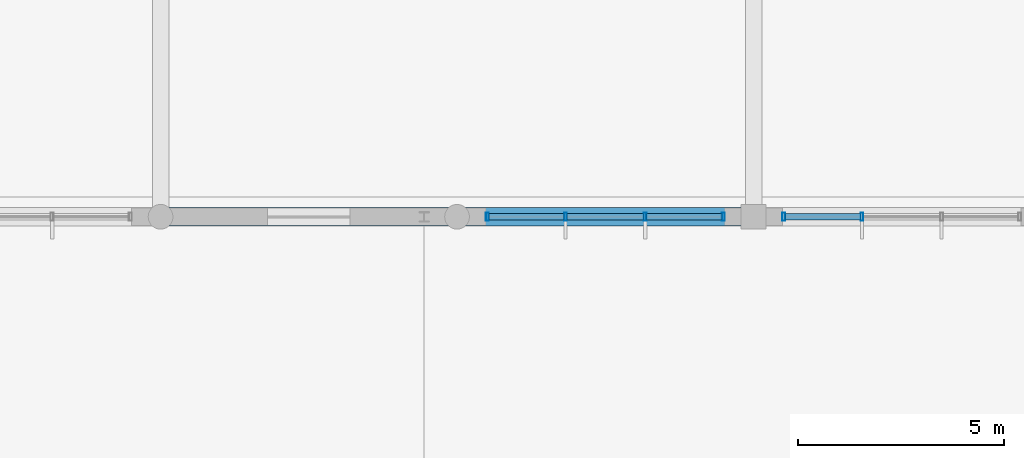
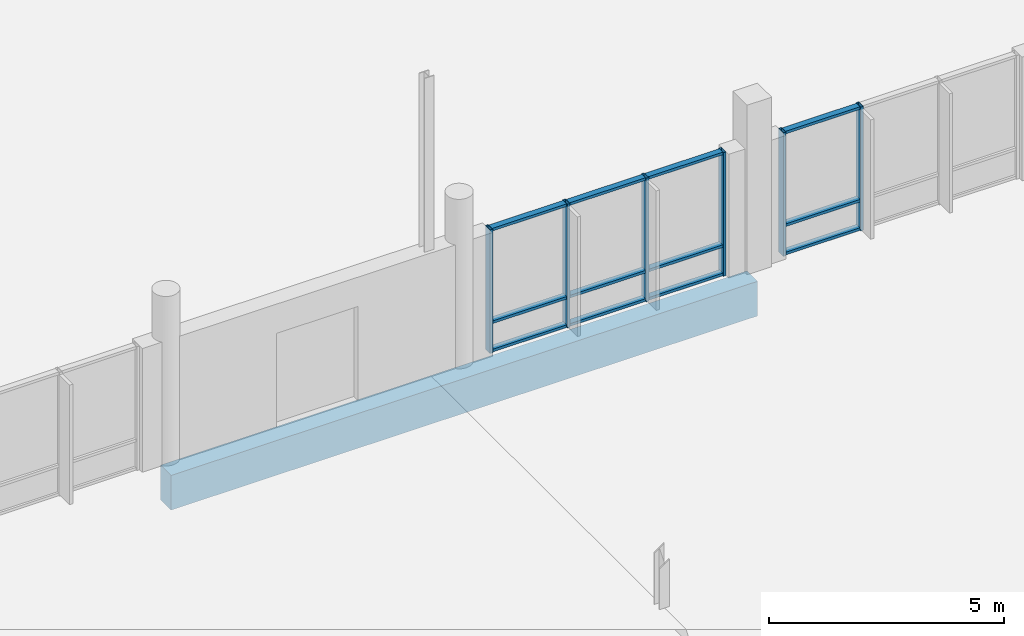
# One storey, part 68 of 233: 18 members, 1 beam, 2 elements without a shape of their own.
"""IFC4 building model written with IfcOpenShell, lengths in metres."""

from ifc_helpers import new_model, si_unit, direction, frame, origin, origin_2d, place, context, subcontext, project, spatial, rectangle, hollow_rectangle, extrude, material, material_profile, profile_set, type_object, element, aggregate, save


model = new_model("IFC4")

# Units and contexts
model_context = context("Model", 3, precision=1e-05, world=origin(), true_north=direction((0.0, 1.0)))
body_context = subcontext(model_context, "Body", "Model", "MODEL_VIEW")
ifc_project = project(units=[si_unit("LENGTHUNIT", "METRE"), si_unit("AREAUNIT", "SQUARE_METRE"), si_unit("VOLUMEUNIT", "CUBIC_METRE"), si_unit("PLANEANGLEUNIT", "RADIAN"), si_unit("MASSUNIT", "GRAM", prefix="KILO")], contexts=[model_context])

# Site, building, storey
site_placement = place(None, origin())
site = spatial("IfcSite", under=ifc_project, at=site_placement, CompositionType="ELEMENT")
building_placement = place(site_placement, origin())
building = spatial("IfcBuilding", under=site, at=building_placement, Name="Zavelmont Quarter", CompositionType="ELEMENT")
storey_placement = place(building_placement, origin())
storey = spatial("IfcBuildingStorey", under=building, at=storey_placement, Name="L00", CompositionType="ELEMENT", Elevation=0.0)

# Beam
ifc_material_1 = material(Name="Concrete C40/50", Category="concrete")
ifc_material_profile_1 = material_profile(ifc_material_1, rectangle(XDim=0.449951171875, YDim=0.89990234375, at=origin_2d()), Name="RC450X900")
ifc_profile_set_1 = profile_set([ifc_material_profile_1], Name="Concrete C40/50")
beam_type = type_object("IfcBeamType", Name="BM06", PredefinedType="BEAM", material=ifc_profile_set_1)
beam_placement = place(storey_placement, frame((69.60009765625, 30.0, -0.77001953125), z_axis=(1.0, 0.0, 0.0), x_axis=(0.0, 1.0, 0.0)))
element("IfcBeam", 1, at=beam_placement, inside=storey, type_object=beam_type, Name="L00 beam BM06 11/F to 13/F", PredefinedType="BEAM", context=body_context, shape_type="SweptSolid", body=[
    extrude(rectangle(XDim=0.449951171875, YDim=0.89990234375, at=origin_2d()), origin(), (0.0, 0.0, 1.0), 14.39990234375),
])

# Curtain wall, members
ifc_material_2 = material(Name="Thermally broken aluminium and double low-E safety glazing", Category="aluminium")
curtain_wall_type = type_object("IfcCurtainWallType", Name="CW-580X321", PredefinedType="NOTDEFINED", material=ifc_material_2)
curtain_wall_1_placement = place(storey_placement, origin())
curtain_wall_1 = element("IfcCurtainWall", 2, at=curtain_wall_1_placement, inside=storey, type_object=curtain_wall_type, Name="L00 unitised curtain wall CW-580X321", PredefinedType="NOTDEFINED")
ifc_material_3 = material(Name="Powder-coated aluminium EN AW-6063-T6", Category="aluminium")
ifc_material_profile_2 = material_profile(ifc_material_3, hollow_rectangle(XDim=0.070068359375, YDim=0.199951171875, WallThickness=0.0048828125, at=origin_2d()), Name="CWM70X200")
ifc_profile_set_2 = profile_set([ifc_material_profile_2], Name="Powder-coated aluminium EN AW-6063-T6")
member_type_1 = type_object("IfcMemberType", Name="CWM02", PredefinedType="MULLION", material=ifc_profile_set_2)
member_1_placement = place(storey_placement, frame((77.534912109375, 30.0, 0.0), z_axis=(0.0, 0.0, 1.0), x_axis=(1.0, 0.0, 0.0)))
member_1 = element("IfcMember", 3, at=member_1_placement, type_object=member_type_1, Name="CW-580X321 mullion 1", PredefinedType="MULLION", context=body_context, shape_type="SweptSolid", body=[
    extrude(hollow_rectangle(XDim=0.070068359375, YDim=0.199951171875, WallThickness=0.0048828125, at=origin_2d()), origin(), (0.0, 0.0, 1.0), 3.2099609375),
])
member_2_placement = place(storey_placement, frame((79.433349609375, 30.0, 0.0), z_axis=(0.0, 0.0, 1.0), x_axis=(1.0, 0.0, 0.0)))
member_2 = element("IfcMember", 4, at=member_2_placement, type_object=member_type_1, Name="CW-580X321 mullion 2", PredefinedType="MULLION", context=body_context, shape_type="SweptSolid", body=[
    extrude(hollow_rectangle(XDim=0.070068359375, YDim=0.199951171875, WallThickness=0.0048828125, at=origin_2d()), origin(), (0.0, 0.0, 1.0), 3.2099609375),
])
member_3_placement = place(storey_placement, frame((81.36669921875, 30.0, 0.0), z_axis=(0.0, 0.0, 1.0), x_axis=(1.0, 0.0, 0.0)))
member_3 = element("IfcMember", 5, at=member_3_placement, type_object=member_type_1, Name="CW-580X321 mullion 3", PredefinedType="MULLION", context=body_context, shape_type="SweptSolid", body=[
    extrude(hollow_rectangle(XDim=0.070068359375, YDim=0.199951171875, WallThickness=0.0048828125, at=origin_2d()), origin(), (0.0, 0.0, 1.0), 3.2099609375),
])
member_4_placement = place(storey_placement, frame((83.264892578125, 30.0, 0.0), z_axis=(0.0, 0.0, 1.0), x_axis=(1.0, 0.0, 0.0)))
member_4 = element("IfcMember", 6, at=member_4_placement, type_object=member_type_1, Name="CW-580X321 mullion 4", PredefinedType="MULLION", context=body_context, shape_type="SweptSolid", body=[
    extrude(hollow_rectangle(XDim=0.070068359375, YDim=0.199951171875, WallThickness=0.0048828125, at=origin_2d()), origin(), (0.0, 0.0, 1.0), 3.2099609375),
])

curtain_wall_2_placement = place(storey_placement, origin())
curtain_wall_2 = element("IfcCurtainWall", 7, at=curtain_wall_2_placement, inside=storey, type_object=curtain_wall_type, Name="L00 unitised curtain wall CW-580X321", PredefinedType="NOTDEFINED")
member_5_placement = place(storey_placement, frame((84.735107421875, 30.0, 0.0), z_axis=(0.0, 0.0, 1.0), x_axis=(1.0, 0.0, 0.0)))
member_5 = element("IfcMember", 8, at=member_5_placement, type_object=member_type_1, Name="CW-580X321 mullion 1", PredefinedType="MULLION", context=body_context, shape_type="SweptSolid", body=[
    extrude(hollow_rectangle(XDim=0.070068359375, YDim=0.199951171875, WallThickness=0.0048828125, at=origin_2d()), origin(), (0.0, 0.0, 1.0), 3.2099609375),
])
member_6_placement = place(storey_placement, frame((86.63330078125, 30.0, 0.0), z_axis=(0.0, 0.0, 1.0), x_axis=(1.0, 0.0, 0.0)))
member_6 = element("IfcMember", 9, at=member_6_placement, type_object=member_type_1, Name="CW-580X321 mullion 2", PredefinedType="MULLION", context=body_context, shape_type="SweptSolid", body=[
    extrude(hollow_rectangle(XDim=0.070068359375, YDim=0.199951171875, WallThickness=0.0048828125, at=origin_2d()), origin(), (0.0, 0.0, 1.0), 3.2099609375),
])

# Member
ifc_material_profile_3 = material_profile(ifc_material_3, hollow_rectangle(XDim=0.14990234375, YDim=0.070068359375, WallThickness=0.00439453125, at=origin_2d()), Name="CWT70X150")
ifc_profile_set_3 = profile_set([ifc_material_profile_3], Name="Powder-coated aluminium EN AW-6063-T6")
member_type_2 = type_object("IfcMemberType", Name="CWT02", PredefinedType="NOTDEFINED", material=ifc_profile_set_3)
member_7_placement = place(storey_placement, frame((77.570068359375, 30.0, 0.034912109375), z_axis=(1.0, 0.0, 0.0), x_axis=(0.0, 1.0, 0.0)))
member_7 = element("IfcMember", 10, at=member_7_placement, type_object=member_type_2, Name="CW-580X321 transom 1.1", ObjectType="TRANSOM", PredefinedType="USERDEFINED", context=body_context, shape_type="SweptSolid", body=[
    extrude(hollow_rectangle(XDim=0.14990234375, YDim=0.070068359375, WallThickness=0.00439453125, at=origin_2d()), origin(), (0.0, 0.0, 1.0), 1.828369140625),
])

member_8_placement = place(storey_placement, frame((77.570068359375, 30.0, 0.77001953125), z_axis=(1.0, 0.0, 0.0), x_axis=(0.0, 1.0, 0.0)))
member_8 = element("IfcMember", 11, at=member_8_placement, type_object=member_type_2, Name="CW-580X321 transom 1.2", ObjectType="TRANSOM", PredefinedType="USERDEFINED", context=body_context, shape_type="SweptSolid", body=[
    extrude(hollow_rectangle(XDim=0.14990234375, YDim=0.070068359375, WallThickness=0.00439453125, at=origin_2d()), origin(), (0.0, 0.0, 1.0), 1.828369140625),
])

member_9_placement = place(storey_placement, frame((77.570068359375, 30.0, 3.175048828125), z_axis=(1.0, 0.0, 0.0), x_axis=(0.0, 1.0, 0.0)))
member_9 = element("IfcMember", 12, at=member_9_placement, type_object=member_type_2, Name="CW-580X321 transom 1.3", ObjectType="TRANSOM", PredefinedType="USERDEFINED", context=body_context, shape_type="SweptSolid", body=[
    extrude(hollow_rectangle(XDim=0.14990234375, YDim=0.070068359375, WallThickness=0.00439453125, at=origin_2d()), origin(), (0.0, 0.0, 1.0), 1.828369140625),
])

member_10_placement = place(storey_placement, frame((79.46826171875, 30.0, 0.034912109375), z_axis=(1.0, 0.0, 0.0), x_axis=(0.0, 1.0, 0.0)))
member_10 = element("IfcMember", 13, at=member_10_placement, type_object=member_type_2, Name="CW-580X321 transom 2.1", ObjectType="TRANSOM", PredefinedType="USERDEFINED", context=body_context, shape_type="SweptSolid", body=[
    extrude(hollow_rectangle(XDim=0.14990234375, YDim=0.070068359375, WallThickness=0.00439453125, at=origin_2d()), origin(), (0.0, 0.0, 1.0), 1.863525390625),
])

member_11_placement = place(storey_placement, frame((79.46826171875, 30.0, 0.77001953125), z_axis=(1.0, 0.0, 0.0), x_axis=(0.0, 1.0, 0.0)))
member_11 = element("IfcMember", 14, at=member_11_placement, type_object=member_type_2, Name="CW-580X321 transom 2.2", ObjectType="TRANSOM", PredefinedType="USERDEFINED", context=body_context, shape_type="SweptSolid", body=[
    extrude(hollow_rectangle(XDim=0.14990234375, YDim=0.070068359375, WallThickness=0.00439453125, at=origin_2d()), origin(), (0.0, 0.0, 1.0), 1.863525390625),
])

member_12_placement = place(storey_placement, frame((79.46826171875, 30.0, 3.175048828125), z_axis=(1.0, 0.0, 0.0), x_axis=(0.0, 1.0, 0.0)))
member_12 = element("IfcMember", 15, at=member_12_placement, type_object=member_type_2, Name="CW-580X321 transom 2.3", ObjectType="TRANSOM", PredefinedType="USERDEFINED", context=body_context, shape_type="SweptSolid", body=[
    extrude(hollow_rectangle(XDim=0.14990234375, YDim=0.070068359375, WallThickness=0.00439453125, at=origin_2d()), origin(), (0.0, 0.0, 1.0), 1.863525390625),
])

member_13_placement = place(storey_placement, frame((81.401611328125, 30.0, 0.034912109375), z_axis=(1.0, 0.0, 0.0), x_axis=(0.0, 1.0, 0.0)))
member_13 = element("IfcMember", 16, at=member_13_placement, type_object=member_type_2, Name="CW-580X321 transom 3.1", ObjectType="TRANSOM", PredefinedType="USERDEFINED", context=body_context, shape_type="SweptSolid", body=[
    extrude(hollow_rectangle(XDim=0.14990234375, YDim=0.070068359375, WallThickness=0.00439453125, at=origin_2d()), origin(), (0.0, 0.0, 1.0), 1.828369140625),
])

member_14_placement = place(storey_placement, frame((81.401611328125, 30.0, 0.77001953125), z_axis=(1.0, 0.0, 0.0), x_axis=(0.0, 1.0, 0.0)))
member_14 = element("IfcMember", 17, at=member_14_placement, type_object=member_type_2, Name="CW-580X321 transom 3.2", ObjectType="TRANSOM", PredefinedType="USERDEFINED", context=body_context, shape_type="SweptSolid", body=[
    extrude(hollow_rectangle(XDim=0.14990234375, YDim=0.070068359375, WallThickness=0.00439453125, at=origin_2d()), origin(), (0.0, 0.0, 1.0), 1.828369140625),
])

member_15_placement = place(storey_placement, frame((81.401611328125, 30.0, 3.175048828125), z_axis=(1.0, 0.0, 0.0), x_axis=(0.0, 1.0, 0.0)))
member_15 = element("IfcMember", 18, at=member_15_placement, type_object=member_type_2, Name="CW-580X321 transom 3.3", ObjectType="TRANSOM", PredefinedType="USERDEFINED", context=body_context, shape_type="SweptSolid", body=[
    extrude(hollow_rectangle(XDim=0.14990234375, YDim=0.070068359375, WallThickness=0.00439453125, at=origin_2d()), origin(), (0.0, 0.0, 1.0), 1.828369140625),
])

aggregate(curtain_wall_1, [member_1, member_2, member_3, member_4, member_7, member_8, member_9, member_10, member_11, member_12, member_13, member_14, member_15])

member_16_placement = place(storey_placement, frame((84.77001953125, 30.0, 0.034912109375), z_axis=(1.0, 0.0, 0.0), x_axis=(0.0, 1.0, 0.0)))
member_16 = element("IfcMember", 19, at=member_16_placement, type_object=member_type_2, Name="CW-580X321 transom 1.1", ObjectType="TRANSOM", PredefinedType="USERDEFINED", context=body_context, shape_type="SweptSolid", body=[
    extrude(hollow_rectangle(XDim=0.14990234375, YDim=0.070068359375, WallThickness=0.00439453125, at=origin_2d()), origin(), (0.0, 0.0, 1.0), 1.828369140625),
])

member_17_placement = place(storey_placement, frame((84.77001953125, 30.0, 0.77001953125), z_axis=(1.0, 0.0, 0.0), x_axis=(0.0, 1.0, 0.0)))
member_17 = element("IfcMember", 20, at=member_17_placement, type_object=member_type_2, Name="CW-580X321 transom 1.2", ObjectType="TRANSOM", PredefinedType="USERDEFINED", context=body_context, shape_type="SweptSolid", body=[
    extrude(hollow_rectangle(XDim=0.14990234375, YDim=0.070068359375, WallThickness=0.00439453125, at=origin_2d()), origin(), (0.0, 0.0, 1.0), 1.828369140625),
])

member_18_placement = place(storey_placement, frame((84.77001953125, 30.0, 3.175048828125), z_axis=(1.0, 0.0, 0.0), x_axis=(0.0, 1.0, 0.0)))
member_18 = element("IfcMember", 21, at=member_18_placement, type_object=member_type_2, Name="CW-580X321 transom 1.3", ObjectType="TRANSOM", PredefinedType="USERDEFINED", context=body_context, shape_type="SweptSolid", body=[
    extrude(hollow_rectangle(XDim=0.14990234375, YDim=0.070068359375, WallThickness=0.00439453125, at=origin_2d()), origin(), (0.0, 0.0, 1.0), 1.828369140625),
])

aggregate(curtain_wall_2, [member_5, member_6, member_16, member_17, member_18])

save(model, "model.ifc")
